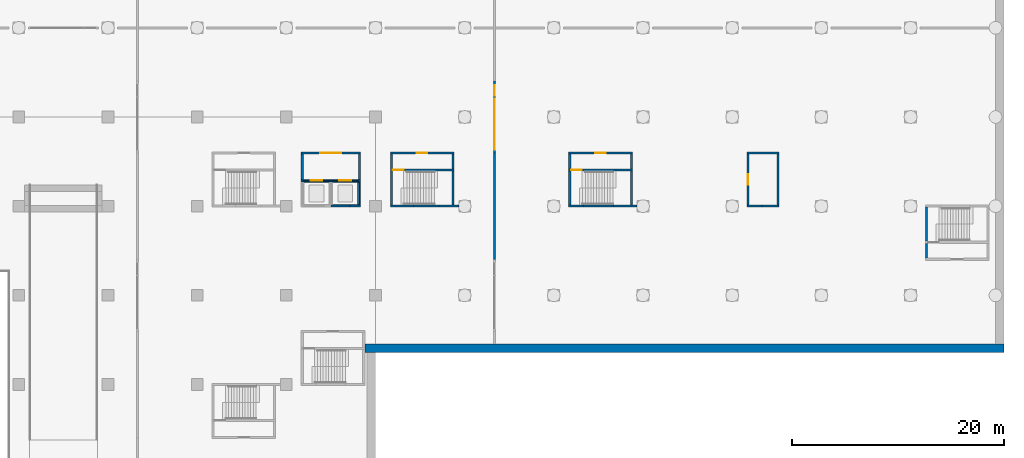
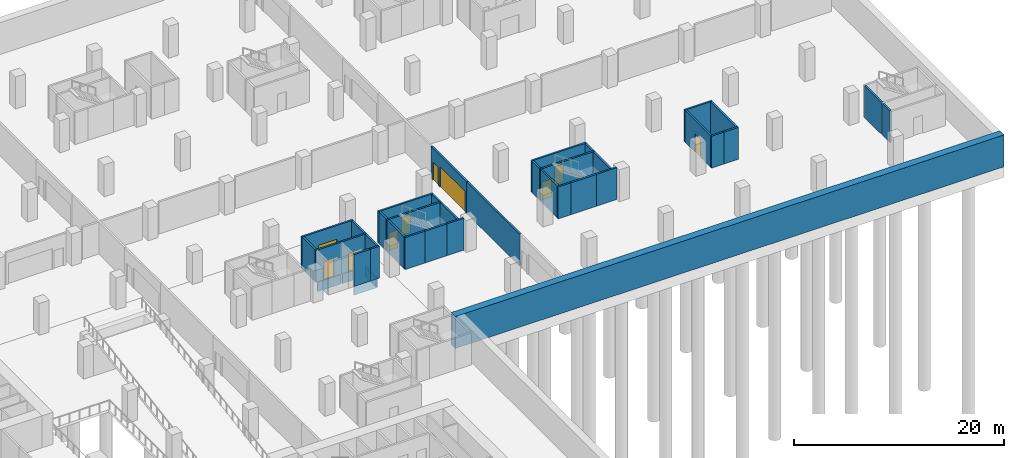
# One storey, part 8 of 19: 40 walls, 10 doors, 10 openings.
"""IFC4 building model written with IfcOpenShell, lengths in metres."""

from ifc_helpers import new_model, si_unit, direction, frame, frame_2d, origin, place, context, subcontext, project, spatial, rectangle, extrude, material, layer, layer_set, type_object, element, fill, save


model = new_model("IFC4")

# Units and contexts
model_context = context("Model", 3, precision=1e-05, world=origin(), true_north=direction((0.0, 1.0)))
body_context = subcontext(model_context, "Body", "Model", "MODEL_VIEW")
ifc_project = project(units=[si_unit("LENGTHUNIT", "METRE"), si_unit("AREAUNIT", "SQUARE_METRE"), si_unit("VOLUMEUNIT", "CUBIC_METRE"), si_unit("PLANEANGLEUNIT", "RADIAN"), si_unit("MASSUNIT", "GRAM", prefix="KILO")], contexts=[model_context])

# Site, building, storey
site_placement = place(None, origin())
site = spatial("IfcSite", under=ifc_project, at=site_placement, CompositionType="ELEMENT")
building_placement = place(site_placement, origin())
building = spatial("IfcBuilding", under=site, at=building_placement, Name="Vermilion Gate Residences", CompositionType="ELEMENT")
storey_placement = place(building_placement, frame((0.0, 0.0, -8.0)))
storey = spatial("IfcBuildingStorey", under=building, at=storey_placement, Name="B2", CompositionType="ELEMENT", Elevation=-8.0)

# Wall, opening, door
ifc_material_1 = material(Name="Concrete blockwork", Category="masonry")
ifc_layer_1 = layer(ifc_material_1, 0.199951171875)
ifc_layer_set_1 = layer_set([ifc_layer_1], Name="FIRE WALL 200 EI 120 (AMENITY)")
wall_type_1 = type_object("IfcWallType", Name="FIRE WALL 200 EI 120 (AMENITY)", PredefinedType="PARTITIONING", material=ifc_layer_set_1)
wall_1_placement = place(storey_placement, frame((102.300048828125, 50.5, 0.0), z_axis=(0.0, 0.0, 1.0), x_axis=(0.0, 1.0, 0.0)))
wall_1 = element("IfcWall", 1, at=wall_1_placement, inside=storey, type_object=wall_type_1, Name="Fire-resisting wall 169", PredefinedType="PARTITIONING", context=body_context, shape_type="SweptSolid", body=[
    extrude(rectangle(XDim=4.800048828125, YDim=0.199951171875, at=frame_2d((2.39990234375, 0.0))), origin(), (0.0, 0.0, 1.0), 3.699951171875),
])
opening_1_placement = place(wall_1_placement, frame((1.89990234375, 0.0, 0.0)))
opening_1 = element("IfcOpeningElement", 2, at=opening_1_placement, cuts=wall_1, Name="Opening DMB2044", PredefinedType="OPENING", context=body_context, shape_type="SweptSolid", body=[
    extrude(rectangle(XDim=1.0, YDim=2.10009765625, at=frame_2d((0.5, 1.050048828125))), frame((0.0, 0.10986328125, 0.0), z_axis=(0.0, -1.0, 0.0), x_axis=(1.0, 0.0, 0.0)), (0.0, 0.0, 1.0), 0.219970703125),
])
ifc_material_2 = material(Name="Steel", Category="steel")
door_type_1 = type_object("IfcDoorType", Name="DOOR 1000 X 2100 FD60 (AMENITY)", OperationType="SINGLE_SWING_LEFT", PredefinedType="DOOR", material=ifc_material_2)
door_1_placement = place(opening_1_placement, origin())
door_1 = element("IfcDoor", 3, at=door_1_placement, inside=storey, type_object=door_type_1, Name="Door B2 44", OperationType="SINGLE_SWING_LEFT", OverallHeight=2.10009765625, OverallWidth=1.0, PredefinedType="DOOR", context=body_context, shape_type="SweptSolid", body=[
    extrude(rectangle(XDim=1.0, YDim=2.10009765625, at=frame_2d((0.5, 1.050048828125))), frame((0.0, 0.02490234375, 0.0), z_axis=(0.0, -1.0, 0.0), x_axis=(1.0, 0.0, 0.0)), (0.0, 0.0, 1.0), 0.050048828125),
])
fill(opening_1, door_1)

# Walls
wall_2_placement = place(storey_placement, frame((102.199951171875, 50.39990234375, 0.0), z_axis=(0.0, 0.0, 1.0), x_axis=(1.0, 0.0, 0.0)))
element("IfcWall", 4, at=wall_2_placement, inside=storey, type_object=wall_type_1, Name="Fire-resisting wall 170", PredefinedType="PARTITIONING", context=body_context, shape_type="SweptSolid", body=[
    extrude(rectangle(XDim=1.400146484375, YDim=0.199951171875, at=frame_2d((0.7001953125, 0.0))), origin(), (0.0, 0.0, 1.0), 3.699951171875),
])
wall_3_placement = place(storey_placement, frame((102.199951171875, 55.39990234375, 0.0), z_axis=(0.0, 0.0, 1.0), x_axis=(1.0, 0.0, 0.0)))
element("IfcWall", 5, at=wall_3_placement, inside=storey, type_object=wall_type_1, Name="Fire-resisting wall 171", PredefinedType="PARTITIONING", context=body_context, shape_type="SweptSolid", body=[
    extrude(rectangle(XDim=3.0, YDim=0.199951171875, at=frame_2d((1.5, 0.0))), origin(), (0.0, 0.0, 1.0), 3.699951171875),
])
wall_4_placement = place(storey_placement, frame((103.60009765625, 50.39990234375, 0.0), z_axis=(0.0, 0.0, 1.0), x_axis=(1.0, 0.0, 0.0)))
element("IfcWall", 6, at=wall_4_placement, inside=storey, type_object=wall_type_1, Name="Fire-resisting wall 175", PredefinedType="PARTITIONING", context=body_context, shape_type="SweptSolid", body=[
    extrude(rectangle(XDim=1.599853515625, YDim=0.199951171875, at=frame_2d((0.7998046875, 0.0))), origin(), (0.0, 0.0, 1.0), 3.699951171875),
])
wall_5_placement = place(storey_placement, frame((105.10009765625, 50.5, 0.0), z_axis=(0.0, 0.0, 1.0), x_axis=(0.0, 1.0, 0.0)))
element("IfcWall", 7, at=wall_5_placement, inside=storey, type_object=wall_type_1, Name="Fire-resisting wall 177", PredefinedType="PARTITIONING", context=body_context, shape_type="SweptSolid", body=[
    extrude(rectangle(XDim=4.800048828125, YDim=0.199951171875, at=frame_2d((2.39990234375, 0.0))), origin(), (0.0, 0.0, 1.0), 3.699951171875),
])
ifc_material_3 = material(Name="Concrete blockwork", Category="masonry")
ifc_layer_2 = layer(ifc_material_3, 0.199951171875)
ifc_layer_set_2 = layer_set([ifc_layer_2], Name="GARAGE FIRE WALL 200 EI 120 (AMENITY)")
wall_type_2 = type_object("IfcWallType", Name="GARAGE FIRE WALL 200 EI 120 (AMENITY)", PredefinedType="PARTITIONING", material=ifc_layer_set_2)
wall_6_placement = place(storey_placement, frame((78.39990234375, 45.39990234375, 0.0), z_axis=(0.0, 0.0, 1.0), x_axis=(0.0, 1.0, 0.0)))
element("IfcWall", 8, at=wall_6_placement, inside=storey, type_object=wall_type_2, Name="Fire compartment wall", PredefinedType="PARTITIONING", context=body_context, shape_type="SweptSolid", body=[
    extrude(rectangle(XDim=10.0, YDim=0.199951171875, at=frame_2d((5.0, 0.0))), origin(), (0.0, 0.0, 1.0), 3.699951171875),
])

# Wall, openings, doors
wall_7_placement = place(storey_placement, frame((78.39990234375, 55.39990234375, 0.0), z_axis=(0.0, 0.0, 1.0), x_axis=(0.0, 1.0, 0.0)))
wall_7 = element("IfcWall", 9, at=wall_7_placement, inside=storey, type_object=wall_type_2, Name="Fire compartment wall", PredefinedType="PARTITIONING", context=body_context, shape_type="SweptSolid", body=[
    extrude(rectangle(XDim=6.800048828125, YDim=0.199951171875, at=frame_2d((3.39990234375, 0.0))), origin(), (0.0, 0.0, 1.0), 3.699951171875),
])
opening_2_placement = place(wall_7_placement, frame((0.300048828125, 0.0, 0.0)))
opening_2 = element("IfcOpeningElement", 10, at=opening_2_placement, cuts=wall_7, Name="Opening DGB2019", PredefinedType="OPENING", context=body_context, shape_type="SweptSolid", body=[
    extrude(rectangle(XDim=4.800048828125, YDim=2.39990234375, at=frame_2d((2.39990234375, 1.199951171875))), frame((0.0, 0.10986328125, 0.0), z_axis=(0.0, -1.0, 0.0), x_axis=(1.0, 0.0, 0.0)), (0.0, 0.0, 1.0), 0.219970703125),
])
opening_3_placement = place(wall_7_placement, frame((5.39990234375, 0.0, 0.0)))
opening_3 = element("IfcOpeningElement", 11, at=opening_3_placement, cuts=wall_7, Name="Opening DGB2020", PredefinedType="OPENING", context=body_context, shape_type="SweptSolid", body=[
    extrude(rectangle(XDim=1.0, YDim=2.10009765625, at=frame_2d((0.5, 1.050048828125))), frame((0.0, 0.10986328125, 0.0), z_axis=(0.0, -1.0, 0.0), x_axis=(1.0, 0.0, 0.0)), (0.0, 0.0, 1.0), 0.219970703125),
])
ifc_material_4 = material(Name="Steel", Category="steel")
door_type_2 = type_object("IfcDoorType", Name="DOOR 1000 X 2100 FD120 (AMENITY)", OperationType="SINGLE_SWING_LEFT", PredefinedType="DOOR", material=ifc_material_4)
door_2_placement = place(opening_3_placement, origin())
door_2 = element("IfcDoor", 12, at=door_2_placement, inside=storey, type_object=door_type_2, Name="Fire door", OperationType="SINGLE_SWING_LEFT", OverallHeight=2.10009765625, OverallWidth=1.0, PredefinedType="DOOR", context=body_context, shape_type="SweptSolid", body=[
    extrude(rectangle(XDim=1.0, YDim=2.10009765625, at=frame_2d((0.5, 1.050048828125))), frame((0.0, 0.02490234375, 0.0), z_axis=(0.0, -1.0, 0.0), x_axis=(1.0, 0.0, 0.0)), (0.0, 0.0, 1.0), 0.050048828125),
])
fill(opening_3, door_2)
ifc_material_5 = material(Name="Steel", Category="steel")
door_type_3 = type_object("IfcDoorType", Name="FIRE SHUTTER 4800 X 2400 (AMENITY)", OperationType="ROLLINGUP", PredefinedType="GATE", material=ifc_material_5)
door_3_placement = place(opening_2_placement, origin())
door_3 = element("IfcDoor", 13, at=door_3_placement, inside=storey, type_object=door_type_3, Name="Fire shutter", OperationType="ROLLINGUP", OverallHeight=2.39990234375, OverallWidth=4.800048828125, PredefinedType="GATE", context=body_context, shape_type="SweptSolid", body=[
    extrude(rectangle(XDim=4.800048828125, YDim=2.39990234375, at=frame_2d((2.39990234375, 1.199951171875))), frame((0.0, 0.02490234375, 0.0), z_axis=(0.0, -1.0, 0.0), x_axis=(1.0, 0.0, 0.0)), (0.0, 0.0, 1.0), 0.050048828125),
])
fill(opening_2, door_3)

# Walls
ifc_material_6 = material(Name="Concrete C40", Category="concrete")
ifc_layer_3 = layer(ifc_material_6, 0.14990234375)
ifc_layer_set_3 = layer_set([ifc_layer_3], Name="LIFT PIT WALL 150 (AMENITY)")
wall_type_3 = type_object("IfcWallType", Name="LIFT PIT WALL 150 (AMENITY)", PredefinedType="SOLIDWALL", material=ifc_layer_set_3)
for number, where, z_axis, x_axis, name in (
    (14, (60.375, 52.72509765625, -1.10009765625), (0.0, 0.0, 1.0), (1.0, 0.0, 0.0), "Lift pit wall G1.1"),
    (15, (63.074951171875, 50.47509765625, -1.10009765625), (0.0, 0.0, 1.0), (1.0, 0.0, 0.0), "Lift pit wall G1.2"),
    (16, (63.074951171875, 52.72509765625, -1.10009765625), (0.0, 0.0, 1.0), (1.0, 0.0, 0.0), "Lift pit wall G1.2"),
):
    element("IfcWall", number, at=place(storey_placement, frame(where, z_axis=z_axis, x_axis=x_axis)), inside=storey, type_object=wall_type_3, Name=name, PredefinedType="SOLIDWALL", context=body_context, shape_type="SweptSolid", body=[
        extrude(rectangle(XDim=2.550048828125, YDim=0.14990234375, at=frame_2d((1.27490234375, 0.0))), origin(), (0.0, 0.0, 1.0), 1.10009765625),
    ])
wall_8_placement = place(storey_placement, frame((65.625, 50.550048828125, -1.10009765625), z_axis=(0.0, 0.0, 1.0), x_axis=(0.0, 1.0, 0.0)))
element("IfcWall", 17, at=wall_8_placement, inside=storey, type_object=wall_type_3, Name="Lift pit wall G1.2", PredefinedType="SOLIDWALL", context=body_context, shape_type="SweptSolid", body=[
    extrude(rectangle(XDim=2.099853515625, YDim=0.14990234375, at=frame_2d((1.0498046875, 0.0))), origin(), (0.0, 0.0, 1.0), 1.10009765625),
])
ifc_material_7 = material(Name="Concrete C40", Category="concrete")
ifc_layer_4 = layer(ifc_material_7, 0.800048828125)
ifc_layer_set_4 = layer_set([ifc_layer_4], Name="RC DIAPHRAGM WALL 800 C40")
wall_type_4 = type_object("IfcWallType", Name="RC DIAPHRAGM WALL 800 C40", PredefinedType="SOLIDWALL", material=ifc_layer_set_4)
wall_9_placement = place(storey_placement, frame((66.199951171875, 37.0, 0.0), z_axis=(0.0, 0.0, 1.0), x_axis=(1.0, 0.0, 0.0)))
element("IfcWall", 18, at=wall_9_placement, inside=storey, type_object=wall_type_4, Name="Diaphragm wall B2 2", PredefinedType="SOLIDWALL", context=body_context, shape_type="SweptSolid", body=[
    extrude(rectangle(XDim=60.199951171875, YDim=0.800048828125, at=frame_2d((30.10009765625, 0.0))), origin(), (0.0, 0.0, 1.0), 3.699951171875),
])
ifc_material_8 = material(Name="Concrete C40", Category="concrete")
ifc_layer_5 = layer(ifc_material_8, 0.199951171875)
ifc_layer_set_5 = layer_set([ifc_layer_5], Name="RC STAIR AND SHAFT WALL 200 EI 180 C40 (AMENITY)")
wall_type_5 = type_object("IfcWallType", Name="RC STAIR AND SHAFT WALL 200 EI 180 C40 (AMENITY)", PredefinedType="SOLIDWALL", material=ifc_layer_set_5)
wall_10_placement = place(storey_placement, frame((60.300048828125, 52.89990234375, 0.0), z_axis=(0.0, 0.0, 1.0), x_axis=(0.0, 1.0, 0.0)))
element("IfcWall", 19, at=wall_10_placement, inside=storey, type_object=wall_type_5, Name="Stair and shaft wall 102", PredefinedType="SOLIDWALL", context=body_context, shape_type="SweptSolid", body=[
    extrude(rectangle(XDim=2.400146484375, YDim=0.199951171875, at=frame_2d((1.2001953125, 0.0))), origin(), (0.0, 0.0, 1.0), 3.699951171875),
])

# Wall, opening, door
wall_11_placement = place(storey_placement, frame((60.199951171875, 52.800048828125, 0.0), z_axis=(0.0, 0.0, 1.0), x_axis=(1.0, 0.0, 0.0)))
wall_11 = element("IfcWall", 20, at=wall_11_placement, inside=storey, type_object=wall_type_5, Name="Stair and shaft wall 103", PredefinedType="SOLIDWALL", context=body_context, shape_type="SweptSolid", body=[
    extrude(rectangle(XDim=2.800048828125, YDim=0.199951171875, at=frame_2d((1.39990234375, 0.0))), origin(), (0.0, 0.0, 1.0), 3.699951171875),
])
opening_4_placement = place(wall_11_placement, frame((0.89990234375, 0.0, 0.0)))
opening_4 = element("IfcOpeningElement", 21, at=opening_4_placement, cuts=wall_11, Name="Opening LD", PredefinedType="OPENING", context=body_context, shape_type="SweptSolid", body=[
    extrude(rectangle(XDim=1.10009765625, YDim=2.10009765625, at=frame_2d((0.550048828125, 1.050048828125))), frame((0.0, 0.10986328125, 0.0), z_axis=(0.0, -1.0, 0.0), x_axis=(1.0, 0.0, 0.0)), (0.0, 0.0, 1.0), 0.219970703125),
])
ifc_material_9 = material(Name="Stainless steel", Category="steel")
door_type_4 = type_object("IfcDoorType", Name="LIFT LANDING DOOR 1100 X 2100 (AMENITY)", OperationType="SLIDING_TO_LEFT", PredefinedType="DOOR", material=ifc_material_9)
door_4_placement = place(opening_4_placement, origin())
door_4 = element("IfcDoor", 22, at=door_4_placement, inside=storey, type_object=door_type_4, Name="Lift landing door", OperationType="SLIDING_TO_LEFT", OverallHeight=2.10009765625, OverallWidth=1.10009765625, PredefinedType="DOOR", context=body_context, shape_type="SweptSolid", body=[
    extrude(rectangle(XDim=1.10009765625, YDim=2.10009765625, at=frame_2d((0.550048828125, 1.050048828125))), frame((0.0, 0.02490234375, 0.0), z_axis=(0.0, -1.0, 0.0), x_axis=(1.0, 0.0, 0.0)), (0.0, 0.0, 1.0), 0.050048828125),
])
fill(opening_4, door_4)

wall_12_placement = place(storey_placement, frame((60.199951171875, 55.39990234375, 0.0), z_axis=(0.0, 0.0, 1.0), x_axis=(1.0, 0.0, 0.0)))
wall_12 = element("IfcWall", 23, at=wall_12_placement, inside=storey, type_object=wall_type_5, Name="Stair and shaft wall 104", PredefinedType="SOLIDWALL", context=body_context, shape_type="SweptSolid", body=[
    extrude(rectangle(XDim=5.60009765625, YDim=0.199951171875, at=frame_2d((2.800048828125, 0.0))), origin(), (0.0, 0.0, 1.0), 3.699951171875),
])
opening_5_placement = place(wall_12_placement, frame((1.800048828125, 0.0, 0.0)))
opening_5 = element("IfcOpeningElement", 24, at=opening_5_placement, cuts=wall_12, Name="Opening DMB2037", PredefinedType="OPENING", context=body_context, shape_type="SweptSolid", body=[
    extrude(rectangle(XDim=2.0, YDim=2.10009765625, at=frame_2d((1.0, 1.050048828125))), frame((0.0, 0.10986328125, 0.0), z_axis=(0.0, -1.0, 0.0), x_axis=(1.0, 0.0, 0.0)), (0.0, 0.0, 1.0), 0.219970703125),
])
ifc_material_10 = material(Name="Steel", Category="steel")
door_type_5 = type_object("IfcDoorType", Name="DOUBLE DOOR 2000 X 2100 FD60 (AMENITY)", OperationType="DOUBLE_DOOR_SINGLE_SWING", PredefinedType="DOOR", material=ifc_material_10)
door_5_placement = place(opening_5_placement, frame((2.0, 0.0, 0.0), z_axis=(0.0, 0.0, 1.0), x_axis=(-1.0, 0.0, 0.0)))
door_5 = element("IfcDoor", 25, at=door_5_placement, inside=storey, type_object=door_type_5, Name="Door B2 37", OperationType="DOUBLE_DOOR_SINGLE_SWING", OverallHeight=2.10009765625, OverallWidth=2.0, PredefinedType="DOOR", context=body_context, shape_type="SweptSolid", body=[
    extrude(rectangle(XDim=2.0, YDim=2.10009765625, at=frame_2d((1.0, 1.050048828125))), frame((0.0, 0.02490234375, 0.0), z_axis=(0.0, -1.0, 0.0), x_axis=(1.0, 0.0, 0.0)), (0.0, 0.0, 1.0), 0.050048828125),
])
fill(opening_5, door_5)

# Wall
wall_13_placement = place(storey_placement, frame((63.0, 50.39990234375, 0.0), z_axis=(0.0, 0.0, 1.0), x_axis=(1.0, 0.0, 0.0)))
element("IfcWall", 26, at=wall_13_placement, inside=storey, type_object=wall_type_5, Name="Stair and shaft wall 112", PredefinedType="SOLIDWALL", context=body_context, shape_type="SweptSolid", body=[
    extrude(rectangle(XDim=1.800048828125, YDim=0.199951171875, at=frame_2d((0.89990234375, 0.0))), origin(), (0.0, 0.0, 1.0), 3.699951171875),
])

# Wall, opening, door
wall_14_placement = place(storey_placement, frame((63.0, 52.800048828125, 0.0), z_axis=(0.0, 0.0, 1.0), x_axis=(1.0, 0.0, 0.0)))
wall_14 = element("IfcWall", 27, at=wall_14_placement, inside=storey, type_object=wall_type_5, Name="Stair and shaft wall 113", PredefinedType="SOLIDWALL", context=body_context, shape_type="SweptSolid", body=[
    extrude(rectangle(XDim=2.800048828125, YDim=0.199951171875, at=frame_2d((1.39990234375, 0.0))), origin(), (0.0, 0.0, 1.0), 3.699951171875),
])
opening_6_placement = place(wall_14_placement, frame((0.800048828125, 0.0, 0.0)))
opening_6 = element("IfcOpeningElement", 28, at=opening_6_placement, cuts=wall_14, Name="Opening LD", PredefinedType="OPENING", context=body_context, shape_type="SweptSolid", body=[
    extrude(rectangle(XDim=1.10009765625, YDim=2.10009765625, at=frame_2d((0.550048828125, 1.050048828125))), frame((0.0, 0.10986328125, 0.0), z_axis=(0.0, -1.0, 0.0), x_axis=(1.0, 0.0, 0.0)), (0.0, 0.0, 1.0), 0.219970703125),
])
door_6_placement = place(opening_6_placement, origin())
door_6 = element("IfcDoor", 29, at=door_6_placement, inside=storey, type_object=door_type_4, Name="Lift landing door", OperationType="SLIDING_TO_LEFT", OverallHeight=2.10009765625, OverallWidth=1.10009765625, PredefinedType="DOOR", context=body_context, shape_type="SweptSolid", body=[
    extrude(rectangle(XDim=1.10009765625, YDim=2.10009765625, at=frame_2d((0.550048828125, 1.050048828125))), frame((0.0, 0.02490234375, 0.0), z_axis=(0.0, -1.0, 0.0), x_axis=(1.0, 0.0, 0.0)), (0.0, 0.0, 1.0), 0.050048828125),
])
fill(opening_6, door_6)

# Walls
wall_15_placement = place(storey_placement, frame((64.800048828125, 50.39990234375, 0.0), z_axis=(0.0, 0.0, 1.0), x_axis=(1.0, 0.0, 0.0)))
element("IfcWall", 30, at=wall_15_placement, inside=storey, type_object=wall_type_5, Name="Stair and shaft wall 116", PredefinedType="SOLIDWALL", context=body_context, shape_type="SweptSolid", body=[
    extrude(rectangle(XDim=1.0, YDim=0.199951171875, at=frame_2d((0.5, 0.0))), origin(), (0.0, 0.0, 1.0), 3.699951171875),
])
wall_16_placement = place(storey_placement, frame((65.699951171875, 50.5, 0.0), z_axis=(0.0, 0.0, 1.0), x_axis=(0.0, 1.0, 0.0)))
element("IfcWall", 31, at=wall_16_placement, inside=storey, type_object=wall_type_5, Name="Stair and shaft wall 117", PredefinedType="SOLIDWALL", context=body_context, shape_type="SweptSolid", body=[
    extrude(rectangle(XDim=2.199951171875, YDim=0.199951171875, at=frame_2d((1.10009765625, 0.0))), origin(), (0.0, 0.0, 1.0), 3.699951171875),
])
wall_17_placement = place(storey_placement, frame((65.699951171875, 52.89990234375, 0.0), z_axis=(0.0, 0.0, 1.0), x_axis=(0.0, 1.0, 0.0)))
element("IfcWall", 32, at=wall_17_placement, inside=storey, type_object=wall_type_5, Name="Stair and shaft wall 118", PredefinedType="SOLIDWALL", context=body_context, shape_type="SweptSolid", body=[
    extrude(rectangle(XDim=2.400146484375, YDim=0.199951171875, at=frame_2d((1.2001953125, 0.0))), origin(), (0.0, 0.0, 1.0), 3.699951171875),
])
wall_18_placement = place(storey_placement, frame((68.699951171875, 50.5, 0.0), z_axis=(0.0, 0.0, 1.0), x_axis=(0.0, 1.0, 0.0)))
element("IfcWall", 33, at=wall_18_placement, inside=storey, type_object=wall_type_5, Name="Stair and shaft wall 121", PredefinedType="SOLIDWALL", context=body_context, shape_type="SweptSolid", body=[
    extrude(rectangle(XDim=3.199951171875, YDim=0.199951171875, at=frame_2d((1.60009765625, 0.0))), origin(), (0.0, 0.0, 1.0), 3.699951171875),
])
wall_19_placement = place(storey_placement, frame((68.60009765625, 50.39990234375, 0.0), z_axis=(0.0, 0.0, 1.0), x_axis=(1.0, 0.0, 0.0)))
element("IfcWall", 34, at=wall_19_placement, inside=storey, type_object=wall_type_5, Name="Stair and shaft wall 122", PredefinedType="SOLIDWALL", context=body_context, shape_type="SweptSolid", body=[
    extrude(rectangle(XDim=2.199951171875, YDim=0.199951171875, at=frame_2d((1.10009765625, 0.0))), origin(), (0.0, 0.0, 1.0), 3.699951171875),
])
wall_20_placement = place(storey_placement, frame((68.699951171875, 53.89990234375, 0.0), z_axis=(0.0, 0.0, 1.0), x_axis=(0.0, 1.0, 0.0)))
element("IfcWall", 35, at=wall_20_placement, inside=storey, type_object=wall_type_5, Name="Stair and shaft wall 123", PredefinedType="SOLIDWALL", context=body_context, shape_type="SweptSolid", body=[
    extrude(rectangle(XDim=1.400146484375, YDim=0.199951171875, at=frame_2d((0.7001953125, 0.0))), origin(), (0.0, 0.0, 1.0), 3.699951171875),
])

# Wall, opening, door
wall_21_placement = place(storey_placement, frame((68.60009765625, 53.800048828125, 0.0), z_axis=(0.0, 0.0, 1.0), x_axis=(1.0, 0.0, 0.0)))
wall_21 = element("IfcWall", 36, at=wall_21_placement, inside=storey, type_object=wall_type_5, Name="Stair and shaft wall 124", PredefinedType="SOLIDWALL", context=body_context, shape_type="SweptSolid", body=[
    extrude(rectangle(XDim=6.0, YDim=0.199951171875, at=frame_2d((3.0, 0.0))), origin(), (0.0, 0.0, 1.0), 3.699951171875),
])
opening_7_placement = place(wall_21_placement, frame((0.25, 0.0, 0.0)))
opening_7 = element("IfcOpeningElement", 37, at=opening_7_placement, cuts=wall_21, Name="Opening DMB2010", PredefinedType="OPENING", context=body_context, shape_type="SweptSolid", body=[
    extrude(rectangle(XDim=1.0, YDim=2.10009765625, at=frame_2d((0.5, 1.050048828125))), frame((0.0, 0.10986328125, 0.0), z_axis=(0.0, -1.0, 0.0), x_axis=(1.0, 0.0, 0.0)), (0.0, 0.0, 1.0), 0.219970703125),
])
door_7_placement = place(opening_7_placement, frame((1.0, 0.0, 0.0), z_axis=(0.0, 0.0, 1.0), x_axis=(-1.0, 0.0, 0.0)))
door_7 = element("IfcDoor", 38, at=door_7_placement, inside=storey, type_object=door_type_1, Name="Door B2 10", OperationType="SINGLE_SWING_RIGHT", OverallHeight=2.10009765625, OverallWidth=1.0, PredefinedType="DOOR", context=body_context, shape_type="SweptSolid", body=[
    extrude(rectangle(XDim=1.0, YDim=2.10009765625, at=frame_2d((0.5, 1.050048828125))), frame((0.0, 0.02490234375, 0.0), z_axis=(0.0, -1.0, 0.0), x_axis=(1.0, 0.0, 0.0)), (0.0, 0.0, 1.0), 0.050048828125),
])
fill(opening_7, door_7)

wall_22_placement = place(storey_placement, frame((68.60009765625, 55.39990234375, 0.0), z_axis=(0.0, 0.0, 1.0), x_axis=(1.0, 0.0, 0.0)))
wall_22 = element("IfcWall", 39, at=wall_22_placement, inside=storey, type_object=wall_type_5, Name="Stair and shaft wall 125", PredefinedType="SOLIDWALL", context=body_context, shape_type="SweptSolid", body=[
    extrude(rectangle(XDim=6.0, YDim=0.199951171875, at=frame_2d((3.0, 0.0))), origin(), (0.0, 0.0, 1.0), 3.699951171875),
])
opening_8_placement = place(wall_22_placement, frame((2.5, 0.0, 0.0)))
opening_8 = element("IfcOpeningElement", 40, at=opening_8_placement, cuts=wall_22, Name="Opening DMB2009", PredefinedType="OPENING", context=body_context, shape_type="SweptSolid", body=[
    extrude(rectangle(XDim=1.0, YDim=2.10009765625, at=frame_2d((0.5, 1.050048828125))), frame((0.0, 0.10986328125, 0.0), z_axis=(0.0, -1.0, 0.0), x_axis=(1.0, 0.0, 0.0)), (0.0, 0.0, 1.0), 0.219970703125),
])
door_8_placement = place(opening_8_placement, origin())
door_8 = element("IfcDoor", 41, at=door_8_placement, inside=storey, type_object=door_type_1, Name="Door B2 9", OperationType="SINGLE_SWING_LEFT", OverallHeight=2.10009765625, OverallWidth=1.0, PredefinedType="DOOR", context=body_context, shape_type="SweptSolid", body=[
    extrude(rectangle(XDim=1.0, YDim=2.10009765625, at=frame_2d((0.5, 1.050048828125))), frame((0.0, 0.02490234375, 0.0), z_axis=(0.0, -1.0, 0.0), x_axis=(1.0, 0.0, 0.0)), (0.0, 0.0, 1.0), 0.050048828125),
])
fill(opening_8, door_8)

# Walls
wall_23_placement = place(storey_placement, frame((70.800048828125, 50.39990234375, 0.0), z_axis=(0.0, 0.0, 1.0), x_axis=(1.0, 0.0, 0.0)))
element("IfcWall", 42, at=wall_23_placement, inside=storey, type_object=wall_type_5, Name="Stair and shaft wall 132", PredefinedType="SOLIDWALL", context=body_context, shape_type="SweptSolid", body=[
    extrude(rectangle(XDim=2.39990234375, YDim=0.199951171875, at=frame_2d((1.199951171875, 0.0))), origin(), (0.0, 0.0, 1.0), 3.699951171875),
])
wall_24_placement = place(storey_placement, frame((73.199951171875, 50.39990234375, 0.0), z_axis=(0.0, 0.0, 1.0), x_axis=(1.0, 0.0, 0.0)))
element("IfcWall", 43, at=wall_24_placement, inside=storey, type_object=wall_type_5, Name="Stair and shaft wall 134", PredefinedType="SOLIDWALL", context=body_context, shape_type="SweptSolid", body=[
    extrude(rectangle(XDim=1.85009765625, YDim=0.199951171875, at=frame_2d((0.925048828125, 0.0))), origin(), (0.0, 0.0, 1.0), 3.699951171875),
])
wall_25_placement = place(storey_placement, frame((74.5, 50.5, 0.0), z_axis=(0.0, 0.0, 1.0), x_axis=(0.0, 1.0, 0.0)))
element("IfcWall", 44, at=wall_25_placement, inside=storey, type_object=wall_type_5, Name="Stair and shaft wall 135", PredefinedType="SOLIDWALL", context=body_context, shape_type="SweptSolid", body=[
    extrude(rectangle(XDim=3.199951171875, YDim=0.199951171875, at=frame_2d((1.60009765625, 0.0))), origin(), (0.0, 0.0, 1.0), 3.699951171875),
])
wall_26_placement = place(storey_placement, frame((74.5, 53.89990234375, 0.0), z_axis=(0.0, 0.0, 1.0), x_axis=(0.0, 1.0, 0.0)))
element("IfcWall", 45, at=wall_26_placement, inside=storey, type_object=wall_type_5, Name="Stair and shaft wall 136", PredefinedType="SOLIDWALL", context=body_context, shape_type="SweptSolid", body=[
    extrude(rectangle(XDim=1.400146484375, YDim=0.199951171875, at=frame_2d((0.7001953125, 0.0))), origin(), (0.0, 0.0, 1.0), 3.699951171875),
])
wall_27_placement = place(storey_placement, frame((85.5, 50.5, 0.0), z_axis=(0.0, 0.0, 1.0), x_axis=(0.0, 1.0, 0.0)))
element("IfcWall", 46, at=wall_27_placement, inside=storey, type_object=wall_type_5, Name="Stair and shaft wall 139", PredefinedType="SOLIDWALL", context=body_context, shape_type="SweptSolid", body=[
    extrude(rectangle(XDim=3.199951171875, YDim=0.199951171875, at=frame_2d((1.60009765625, 0.0))), origin(), (0.0, 0.0, 1.0), 3.699951171875),
])
for number, where, z_axis, x_axis, name in (
    (47, (85.39990234375, 50.39990234375, 0.0), (0.0, 0.0, 1.0), (1.0, 0.0, 0.0), "Stair and shaft wall 140"),
    (48, (85.5, 53.89990234375, 0.0), (0.0, 0.0, 1.0), (0.0, 1.0, 0.0), "Stair and shaft wall 141"),
):
    element("IfcWall", number, at=place(storey_placement, frame(where, z_axis=z_axis, x_axis=x_axis)), inside=storey, type_object=wall_type_5, Name=name, PredefinedType="SOLIDWALL", context=body_context, shape_type="SweptSolid", body=[
        extrude(rectangle(XDim=1.400146484375, YDim=0.199951171875, at=frame_2d((0.7001953125, 0.0))), origin(), (0.0, 0.0, 1.0), 3.699951171875),
    ])

# Wall, opening, door
wall_28_placement = place(storey_placement, frame((85.39990234375, 53.800048828125, 0.0), z_axis=(0.0, 0.0, 1.0), x_axis=(1.0, 0.0, 0.0)))
wall_28 = element("IfcWall", 49, at=wall_28_placement, inside=storey, type_object=wall_type_5, Name="Stair and shaft wall 142", PredefinedType="SOLIDWALL", context=body_context, shape_type="SweptSolid", body=[
    extrude(rectangle(XDim=6.0, YDim=0.199951171875, at=frame_2d((3.0, 0.0))), origin(), (0.0, 0.0, 1.0), 3.699951171875),
])
opening_9_placement = place(wall_28_placement, frame((0.25, 0.0, 0.0)))
opening_9 = element("IfcOpeningElement", 50, at=opening_9_placement, cuts=wall_28, Name="Opening DMB2016", PredefinedType="OPENING", context=body_context, shape_type="SweptSolid", body=[
    extrude(rectangle(XDim=1.0, YDim=2.10009765625, at=frame_2d((0.5, 1.050048828125))), frame((0.0, 0.10986328125, 0.0), z_axis=(0.0, -1.0, 0.0), x_axis=(1.0, 0.0, 0.0)), (0.0, 0.0, 1.0), 0.219970703125),
])
door_9_placement = place(opening_9_placement, frame((1.0, 0.0, 0.0), z_axis=(0.0, 0.0, 1.0), x_axis=(-1.0, 0.0, 0.0)))
door_9 = element("IfcDoor", 51, at=door_9_placement, inside=storey, type_object=door_type_1, Name="Door B2 16", OperationType="SINGLE_SWING_LEFT", OverallHeight=2.10009765625, OverallWidth=1.0, PredefinedType="DOOR", context=body_context, shape_type="SweptSolid", body=[
    extrude(rectangle(XDim=1.0, YDim=2.10009765625, at=frame_2d((0.5, 1.050048828125))), frame((0.0, 0.02490234375, 0.0), z_axis=(0.0, -1.0, 0.0), x_axis=(1.0, 0.0, 0.0)), (0.0, 0.0, 1.0), 0.050048828125),
])
fill(opening_9, door_9)

wall_29_placement = place(storey_placement, frame((85.39990234375, 55.39990234375, 0.0), z_axis=(0.0, 0.0, 1.0), x_axis=(1.0, 0.0, 0.0)))
wall_29 = element("IfcWall", 52, at=wall_29_placement, inside=storey, type_object=wall_type_5, Name="Stair and shaft wall 143", PredefinedType="SOLIDWALL", context=body_context, shape_type="SweptSolid", body=[
    extrude(rectangle(XDim=6.0, YDim=0.199951171875, at=frame_2d((3.0, 0.0))), origin(), (0.0, 0.0, 1.0), 3.699951171875),
])
opening_10_placement = place(wall_29_placement, frame((2.5, 0.0, 0.0)))
opening_10 = element("IfcOpeningElement", 53, at=opening_10_placement, cuts=wall_29, Name="Opening DMB2015", PredefinedType="OPENING", context=body_context, shape_type="SweptSolid", body=[
    extrude(rectangle(XDim=1.0, YDim=2.10009765625, at=frame_2d((0.5, 1.050048828125))), frame((0.0, 0.10986328125, 0.0), z_axis=(0.0, -1.0, 0.0), x_axis=(1.0, 0.0, 0.0)), (0.0, 0.0, 1.0), 0.219970703125),
])
door_10_placement = place(opening_10_placement, origin())
door_10 = element("IfcDoor", 54, at=door_10_placement, inside=storey, type_object=door_type_1, Name="Door B2 15", OperationType="SINGLE_SWING_LEFT", OverallHeight=2.10009765625, OverallWidth=1.0, PredefinedType="DOOR", context=body_context, shape_type="SweptSolid", body=[
    extrude(rectangle(XDim=1.0, YDim=2.10009765625, at=frame_2d((0.5, 1.050048828125))), frame((0.0, 0.02490234375, 0.0), z_axis=(0.0, -1.0, 0.0), x_axis=(1.0, 0.0, 0.0)), (0.0, 0.0, 1.0), 0.050048828125),
])
fill(opening_10, door_10)

# Walls
wall_30_placement = place(storey_placement, frame((86.800048828125, 50.39990234375, 0.0), z_axis=(0.0, 0.0, 1.0), x_axis=(1.0, 0.0, 0.0)))
element("IfcWall", 55, at=wall_30_placement, inside=storey, type_object=wall_type_5, Name="Stair and shaft wall 149", PredefinedType="SOLIDWALL", context=body_context, shape_type="SweptSolid", body=[
    extrude(rectangle(XDim=2.800048828125, YDim=0.199951171875, at=frame_2d((1.39990234375, 0.0))), origin(), (0.0, 0.0, 1.0), 3.699951171875),
])
wall_31_placement = place(storey_placement, frame((89.60009765625, 50.39990234375, 0.0), z_axis=(0.0, 0.0, 1.0), x_axis=(1.0, 0.0, 0.0)))
element("IfcWall", 56, at=wall_31_placement, inside=storey, type_object=wall_type_5, Name="Stair and shaft wall 151", PredefinedType="SOLIDWALL", context=body_context, shape_type="SweptSolid", body=[
    extrude(rectangle(XDim=2.25, YDim=0.199951171875, at=frame_2d((1.125, 0.0))), origin(), (0.0, 0.0, 1.0), 3.699951171875),
])
wall_32_placement = place(storey_placement, frame((91.300048828125, 50.5, 0.0), z_axis=(0.0, 0.0, 1.0), x_axis=(0.0, 1.0, 0.0)))
element("IfcWall", 57, at=wall_32_placement, inside=storey, type_object=wall_type_5, Name="Stair and shaft wall 153", PredefinedType="SOLIDWALL", context=body_context, shape_type="SweptSolid", body=[
    extrude(rectangle(XDim=3.199951171875, YDim=0.199951171875, at=frame_2d((1.60009765625, 0.0))), origin(), (0.0, 0.0, 1.0), 3.699951171875),
])
wall_33_placement = place(storey_placement, frame((91.300048828125, 53.89990234375, 0.0), z_axis=(0.0, 0.0, 1.0), x_axis=(0.0, 1.0, 0.0)))
element("IfcWall", 58, at=wall_33_placement, inside=storey, type_object=wall_type_5, Name="Stair and shaft wall 154", PredefinedType="SOLIDWALL", context=body_context, shape_type="SweptSolid", body=[
    extrude(rectangle(XDim=1.400146484375, YDim=0.199951171875, at=frame_2d((0.7001953125, 0.0))), origin(), (0.0, 0.0, 1.0), 3.699951171875),
])
wall_34_placement = place(storey_placement, frame((119.10009765625, 45.5, 0.0), z_axis=(0.0, 0.0, 1.0), x_axis=(0.0, 1.0, 0.0)))
element("IfcWall", 59, at=wall_34_placement, inside=storey, type_object=wall_type_5, Name="Stair and shaft wall 179", PredefinedType="SOLIDWALL", context=body_context, shape_type="SweptSolid", body=[
    extrude(rectangle(XDim=1.39990234375, YDim=0.199951171875, at=frame_2d((0.699951171875, 0.0))), origin(), (0.0, 0.0, 1.0), 3.699951171875),
])
wall_35_placement = place(storey_placement, frame((119.10009765625, 47.10009765625, 0.0), z_axis=(0.0, 0.0, 1.0), x_axis=(0.0, 1.0, 0.0)))
element("IfcWall", 60, at=wall_35_placement, inside=storey, type_object=wall_type_5, Name="Stair and shaft wall 181", PredefinedType="SOLIDWALL", context=body_context, shape_type="SweptSolid", body=[
    extrude(rectangle(XDim=3.199951171875, YDim=0.199951171875, at=frame_2d((1.60009765625, 0.0))), origin(), (0.0, 0.0, 1.0), 3.699951171875),
])

save(model, "model.ifc")
